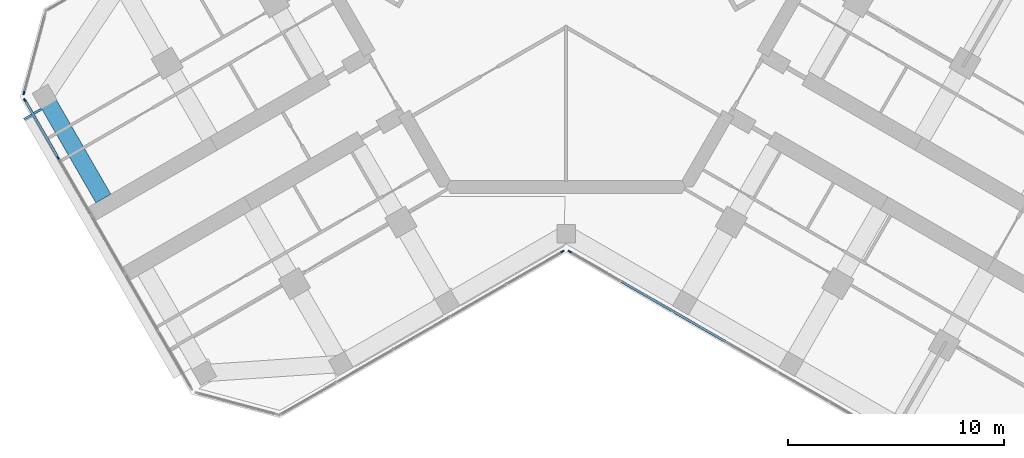
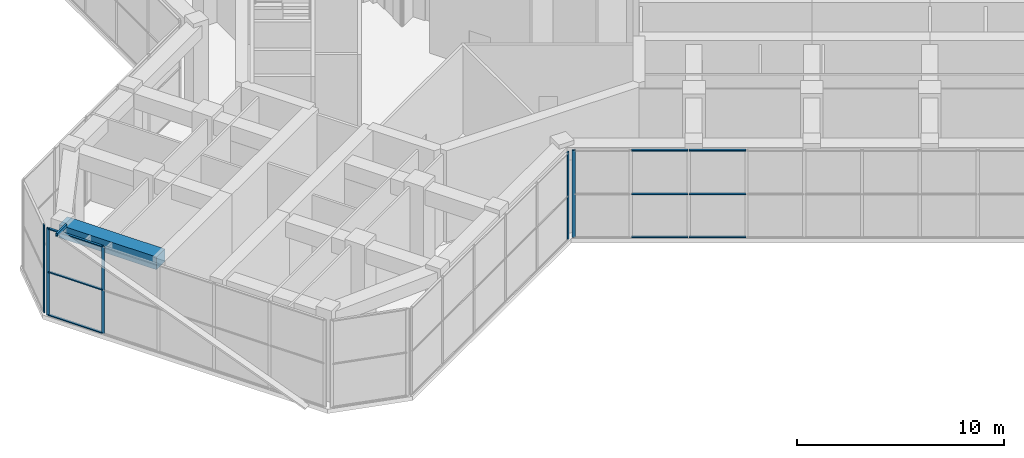
# One storey, part 3 of 16: 15 members, 1 beam, 4 elements without a shape of their own.
"""IFC4 building model written with IfcOpenShell, lengths in metres."""

import ifcopenshell
import ifcopenshell.guid

model = None  # the IFC model being written
_history = None  # IfcOwnerHistory: only IFC2X3 demands one
_inside = {}  # id of a spatial element -> (the spatial element, [elements in it])
_under = {}  # id of a project, library or spatial element -> (it, [spatial elements below it])
_declared = {}  # id of a project -> (the project, [libraries it declares])
_typed = {}  # id of a type object -> (the type object, [elements of that type])
_made_of = {}  # id of a material, layer set ... -> (it, [elements and type objects made of it])


def new_model(schema):
    """Start an empty IFC model of exactly this schema.

    Asked for "IFC4X3", IfcOpenShell would pick the latest addendum, in which some entities
    have other attributes; the version numbers below select the first issue.
    IFC2X3 requires an IfcOwnerHistory on every rooted entity: one is made here for all.
    """
    global model, _history
    if schema == "IFC4X3":
        model = ifcopenshell.file(schema_version=(4, 3, 0, 0))
    else:
        model = ifcopenshell.file(schema=schema)
    _inside.clear()
    _under.clear()
    _declared.clear()
    _typed.clear()
    _made_of.clear()
    _history = None
    if model.schema == "IFC2X3":
        org = make("IfcOrganization", Name="unknown")
        user = make(
            "IfcPersonAndOrganization",
            ThePerson=make("IfcPerson", FamilyName="unknown"),
            TheOrganization=org,
        )
        app = make(
            "IfcApplication",
            ApplicationDeveloper=org,
            Version="unknown",
            ApplicationFullName="unknown",
            ApplicationIdentifier="unknown",
        )
        _history = make(
            "IfcOwnerHistory",
            OwningUser=user,
            OwningApplication=app,
            ChangeAction="ADDED",
            CreationDate=0,
        )
    return model


def make(cls, **values):
    """One entity of the class cls with the attributes given. An attribute that is None is left unset."""
    return model.create_entity(
        cls, **{name: value for name, value in values.items() if value is not None}
    )


def rooted(cls, **values):
    """An entity with a GlobalId (a new one), such as an element, a storey or a relation."""
    return make(cls, GlobalId=ifcopenshell.guid.new(), OwnerHistory=_history, **values)


def si_unit(unit_type, name, prefix=None):
    """IfcSIUnit, for example si_unit("LENGTHUNIT", "METRE", prefix="MILLI")."""
    return make("IfcSIUnit", UnitType=unit_type, Prefix=prefix, Name=name)


def assignment(units):
    """IfcUnitAssignment: the units of a project."""
    return None if units is None else make("IfcUnitAssignment", Units=units)


def point(xyz):
    """IfcCartesianPoint."""
    return None if xyz is None else make("IfcCartesianPoint", Coordinates=xyz)


def direction(xyz):
    """IfcDirection."""
    return None if xyz is None else make("IfcDirection", DirectionRatios=xyz)


def frame(location, z_axis=None, x_axis=None):
    """IfcAxis2Placement3D, a coordinate frame: its origin and axes. An axis left out is left unset."""
    return make(
        "IfcAxis2Placement3D",
        Location=point(location),
        Axis=direction(z_axis),
        RefDirection=direction(x_axis),
    )


def frame_2d(location, x_axis=None):
    """IfcAxis2Placement2D, a coordinate frame in the plane: its origin and x axis."""
    return make(
        "IfcAxis2Placement2D", Location=point(location), RefDirection=direction(x_axis)
    )


def origin():
    """The frame at (0, 0, 0) with its axes left unset."""
    return frame((0.0, 0.0, 0.0))


def origin_2d():
    """The frame at (0, 0) in the plane with its x axis left unset."""
    return frame_2d((0.0, 0.0))


def place(relative_to, where):
    """IfcLocalPlacement: puts the frame where relative to a parent placement (None: the world)."""
    return make(
        "IfcLocalPlacement", PlacementRelTo=relative_to, RelativePlacement=where
    )


def context(
    kind, dimensions, precision=None, world=None, true_north=None, identifier=None
):
    """IfcGeometricRepresentationContext, for example the 3D "Model" context."""
    return make(
        "IfcGeometricRepresentationContext",
        ContextIdentifier=identifier,
        ContextType=kind,
        CoordinateSpaceDimension=dimensions,
        Precision=precision,
        WorldCoordinateSystem=world,
        TrueNorth=true_north,
    )


def subcontext(parent, identifier, kind, view, scale=None):
    """IfcGeometricRepresentationSubContext, for example "Body" below "Model"."""
    return make(
        "IfcGeometricRepresentationSubContext",
        ContextIdentifier=identifier,
        ContextType=kind,
        ParentContext=parent,
        TargetScale=scale,
        TargetView=view,
    )


def project(units=None, contexts=None):
    """IfcProject with its units and contexts."""
    return rooted(
        "IfcProject",
        Name="project",
        RepresentationContexts=contexts,
        UnitsInContext=assignment(units),
    )


def spatial(cls, under=None, at=None, **own):
    """A site, building, storey or space (cls), placed at a placement, below another one or the project."""
    s = rooted(cls, ObjectPlacement=at, **own)
    if under is not None:
        _under.setdefault(under.id(), (under, []))[1].append(s)
    return s


def profile(cls, at=None, kind="AREA", **sizes):
    """A parametric profile (cls). Its sizes go by their IFC names, for example OverallWidth=200.0."""
    return make(cls, ProfileType=kind, Position=at, **sizes)


def rectangle(**sizes):
    """IfcRectangleProfileDef."""
    return profile("IfcRectangleProfileDef", **sizes)


def hollow_rectangle(**sizes):
    """IfcRectangleHollowProfileDef."""
    return profile("IfcRectangleHollowProfileDef", **sizes)


def extrude(swept, where, along, depth):
    """IfcExtrudedAreaSolid: the profile swept, set in the frame where, extruded along a direction by depth."""
    return make(
        "IfcExtrudedAreaSolid",
        SweptArea=swept,
        Position=where,
        ExtrudedDirection=direction(along),
        Depth=depth,
    )


def shape(context_of_items, identifier, shape_type, items):
    """IfcShapeRepresentation: the items that make up one representation, for example the "Body"."""
    return make(
        "IfcShapeRepresentation",
        ContextOfItems=context_of_items,
        RepresentationIdentifier=identifier,
        RepresentationType=shape_type,
        Items=items,
    )


def material(Name=None, Category=None):
    """IfcMaterial."""
    return make("IfcMaterial", Name=Name, Category=Category)


def material_profile(
    of_material, cross_section, Name=None, Category=None, Priority=None
):
    """IfcMaterialProfile: a cross section and its material."""
    return make(
        "IfcMaterialProfile",
        Name=Name,
        Material=of_material,
        Profile=cross_section,
        Priority=Priority,
        Category=Category,
    )


def profile_set(profiles, Name=None, composite=None):
    """IfcMaterialProfileSet."""
    return make(
        "IfcMaterialProfileSet",
        Name=Name,
        MaterialProfiles=profiles,
        CompositeProfile=composite,
    )


def made_of(thing, what):
    """Note that an element or type object is made of a material, layer set ...; save() writes the relation."""
    if what is not None:
        _made_of.setdefault(what.id(), (what, []))[1].append(thing)
    return thing


def type_object(cls, material=None, **own):
    """A type object (cls), such as IfcWallType, which elements share."""
    return made_of(rooted(cls, **own), material)


def element(
    cls,
    number,
    at=None,
    inside=None,
    cuts=None,
    type_object=None,
    material=None,
    context=None,
    identifier="Body",
    shape_type=None,
    held_by="IfcProductDefinitionShape",
    body=None,
    shapes=None,
    **own,
):
    """One element of the class cls, such as IfcWall. Its Tag is "e" and its number.

    at: its placement. inside: the storey or other place that contains it. cuts: it is an
    opening in that element (IfcRelVoidsElement). A single representation is given by context,
    identifier, shape_type and body (its items); several are given by shapes. held_by: the class
    of the entity that holds the representations. save() writes the other relations.
    """
    e = rooted(cls, Tag="e%d" % number, ObjectPlacement=at, **own)
    if body is not None:
        shapes = [shape(context, identifier, shape_type, body)]
    if shapes is not None:
        e.Representation = make(held_by, Representations=shapes)
    if inside is not None:
        _inside.setdefault(inside.id(), (inside, []))[1].append(e)
    if cuts is not None:
        rooted(
            "IfcRelVoidsElement", RelatingBuildingElement=cuts, RelatedOpeningElement=e
        )
    if type_object is not None:
        _typed.setdefault(type_object.id(), (type_object, []))[1].append(e)
    return made_of(e, material)


def aggregate(whole, parts):
    """IfcRelAggregates: a whole, such as a stair, and the parts it consists of."""
    return rooted("IfcRelAggregates", RelatingObject=whole, RelatedObjects=parts)


def save(model, path):
    """Write the relations noted so far, then the file.

    IfcRelAggregates (storeys below a building ...), IfcRelContainedInSpatialStructure (elements
    in a storey), IfcRelDefinesByType, IfcRelAssociatesMaterial and IfcRelDeclares: one each for
    every whole, place, type object, material and project.
    """
    for whole, parts in _under.values():
        aggregate(whole, parts)
    for where, things in _inside.values():
        rooted(
            "IfcRelContainedInSpatialStructure",
            RelatedElements=things,
            RelatingStructure=where,
        )
    for kind, things in _typed.values():
        rooted("IfcRelDefinesByType", RelatedObjects=things, RelatingType=kind)
    for what, things in _made_of.values():
        rooted("IfcRelAssociatesMaterial", RelatedObjects=things, RelatingMaterial=what)
    for by, libraries in _declared.values():
        rooted("IfcRelDeclares", RelatingContext=by, RelatedDefinitions=libraries)
    model.write(path)


model = new_model("IFC4")

# Units and contexts
model_context = context("Model", 3, precision=1e-05, world=origin(), true_north=direction((0.0, 1.0)))
body_context = subcontext(model_context, "Body", "Model", "MODEL_VIEW")
ifc_project = project(units=[si_unit("LENGTHUNIT", "METRE"), si_unit("AREAUNIT", "SQUARE_METRE"), si_unit("VOLUMEUNIT", "CUBIC_METRE"), si_unit("PLANEANGLEUNIT", "RADIAN"), si_unit("MASSUNIT", "GRAM", prefix="KILO")], contexts=[model_context])

# Site, building, storey
site_placement = place(None, origin())
site = spatial("IfcSite", under=ifc_project, at=site_placement, CompositionType="ELEMENT")
building_placement = place(site_placement, origin())
building = spatial("IfcBuilding", under=site, at=building_placement, Name="Kosmar Iwan School Tower", CompositionType="ELEMENT")
storey_placement = place(building_placement, frame((0.0, 0.0, 226.199951171875)))
storey = spatial("IfcBuildingStorey", under=building, at=storey_placement, Name="L57", CompositionType="ELEMENT", Elevation=226.199951171875)

# Member
ifc_material_1 = material(Name="Steel S355", Category="steel")
ifc_material_profile_1 = material_profile(ifc_material_1, hollow_rectangle(XDim=0.10009765625, YDim=0.199951171875, WallThickness=0.008056640625, at=origin_2d()), Name="RHS 200x100x8")
ifc_profile_set_1 = profile_set([ifc_material_profile_1], Name="Steel S355")
member_type_1 = type_object("IfcMemberType", Name="Fin bracket RHS 200x100", PredefinedType="USERDEFINED", material=ifc_profile_set_1)
member_1_placement = place(storey_placement, frame((-24.337158203125, -5.9970703125, 5.275146484375), z_axis=(-0.866058118026, -0.49994333299, 0.0), x_axis=(0.49994333299, -0.866058118026, 0.0)))
element("IfcMember", 1, at=member_1_placement, inside=storey, type_object=member_type_1, Name="Fin bracket L58", ObjectType="FIN BRACKET", PredefinedType="USERDEFINED", context=body_context, shape_type="SweptSolid", body=[
    extrude(hollow_rectangle(XDim=0.10009765625, YDim=0.199951171875, WallThickness=0.008056640625, at=origin_2d()), origin(), (0.0, 0.0, 1.0), 0.9248046875),
])

# Curtain wall, member
ifc_material_2 = material(Name="Dark glass in black aluminium frame", Category="aluminium")
curtain_wall_type_1 = type_object("IfcCurtainWallType", Name="Chamfer curtain wall dark glass", PredefinedType="USERDEFINED", material=ifc_material_2)
curtain_wall_1_placement = place(storey_placement, origin())
curtain_wall_1 = element("IfcCurtainWall", 2, at=curtain_wall_1_placement, inside=storey, type_object=curtain_wall_type_1, Name="Curtain wall L57-F10", ObjectType="FACETED CURTAIN WALL", PredefinedType="USERDEFINED")
ifc_material_3 = material(Name="Black anodised aluminium", Category="aluminium")
ifc_material_profile_2 = material_profile(ifc_material_3, rectangle(XDim=0.06005859375, YDim=0.159912109375, at=origin_2d()), Name="MULLION 60x160")
ifc_profile_set_2 = profile_set([ifc_material_profile_2], Name="Black anodised aluminium")
member_type_2 = type_object("IfcMemberType", Name="Mullion 60x160", PredefinedType="MULLION", material=ifc_profile_set_2)
member_2_placement = place(storey_placement, frame((-25.141845703125, -5.24853515625, 0.0), z_axis=(0.0, 0.0, 1.0), x_axis=(0.965925875495, -0.258818861462, 0.0)))
member_2 = element("IfcMember", 3, at=member_2_placement, type_object=member_type_2, Name="CW2 mullion 2", PredefinedType="MULLION", context=body_context, shape_type="SweptSolid", body=[
    extrude(rectangle(XDim=0.06005859375, YDim=0.159912109375, at=origin_2d()), origin(), (0.0, 0.0, 1.0), 5.150146484375),
])
aggregate(curtain_wall_1, [member_2])

# Curtain wall, members
ifc_material_4 = material(Name="Dark glass in black aluminium frame", Category="aluminium")
curtain_wall_type_2 = type_object("IfcCurtainWallType", Name="Tower curtain wall dark glass", PredefinedType="USERDEFINED", material=ifc_material_4)
curtain_wall_2_placement = place(storey_placement, origin())
curtain_wall_2 = element("IfcCurtainWall", 4, at=curtain_wall_2_placement, inside=storey, type_object=curtain_wall_type_2, Name="Curtain wall L57-F11", ObjectType="UNITISED CURTAIN WALL", PredefinedType="USERDEFINED")
member_3_placement = place(storey_placement, frame((-25.098388671875, -5.578369140625, 0.0), z_axis=(0.0, 0.0, 1.0), x_axis=(0.866025405329, 0.499999997325, 0.0)))
member_3 = element("IfcMember", 5, at=member_3_placement, type_object=member_type_2, Name="CW1 mullion 1", PredefinedType="MULLION", context=body_context, shape_type="SweptSolid", body=[
    extrude(rectangle(XDim=0.06005859375, YDim=0.159912109375, at=origin_2d()), origin(), (0.0, 0.0, 1.0), 5.150146484375),
])
member_4_placement = place(storey_placement, frame((-23.563720703125, -8.236328125, 0.0), z_axis=(0.0, 0.0, 1.0), x_axis=(0.866025405329, 0.499999997325, 0.0)))
member_4 = element("IfcMember", 6, at=member_4_placement, type_object=member_type_2, Name="CW1 mullion 2", PredefinedType="MULLION", context=body_context, shape_type="SweptSolid", body=[
    extrude(rectangle(XDim=0.06005859375, YDim=0.159912109375, at=origin_2d()), origin(), (0.0, 0.0, 1.0), 5.150146484375),
])

# Curtain wall, member
ifc_material_5 = material(Name="Dark glass in black aluminium frame", Category="aluminium")
curtain_wall_type_3 = type_object("IfcCurtainWallType", Name="Winter garden curtain wall", PredefinedType="USERDEFINED", material=ifc_material_5)
curtain_wall_3_placement = place(storey_placement, origin())
curtain_wall_3 = element("IfcCurtainWall", 7, at=curtain_wall_3_placement, inside=storey, type_object=curtain_wall_type_3, Name="Curtain wall L57-F13", ObjectType="WINTER GARDEN CURTAIN WALL", PredefinedType="USERDEFINED")
member_5_placement = place(storey_placement, frame((-0.163818359375, -12.59423828125, 0.0), z_axis=(0.0, 0.0, 1.0), x_axis=(0.499999981877, -0.866025414248, 0.0)))
member_5 = element("IfcMember", 8, at=member_5_placement, type_object=member_type_2, Name="CW7 mullion 1", PredefinedType="MULLION", context=body_context, shape_type="SweptSolid", body=[
    extrude(rectangle(XDim=0.06005859375, YDim=0.159912109375, at=origin_2d()), origin(), (0.0, 0.0, 1.0), 5.150146484375),
])
aggregate(curtain_wall_3, [member_5])

curtain_wall_4_placement = place(storey_placement, origin())
curtain_wall_4 = element("IfcCurtainWall", 9, at=curtain_wall_4_placement, inside=storey, type_object=curtain_wall_type_3, Name="Curtain wall L57-F14", ObjectType="WINTER GARDEN CURTAIN WALL", PredefinedType="USERDEFINED")
member_6_placement = place(storey_placement, frame((0.163818359375, -12.59423828125, 0.0), z_axis=(0.0, 0.0, 1.0), x_axis=(0.500000014888, 0.866025395189, 0.0)))
member_6 = element("IfcMember", 10, at=member_6_placement, type_object=member_type_2, Name="CW7 mullion 1", PredefinedType="MULLION", context=body_context, shape_type="SweptSolid", body=[
    extrude(rectangle(XDim=0.06005859375, YDim=0.159912109375, at=origin_2d()), origin(), (0.0, 0.0, 1.0), 5.150146484375),
])

# Beam
ifc_material_6 = material(Name="Concrete C50/60", Category="concrete")
ifc_material_profile_3 = material_profile(ifc_material_6, rectangle(XDim=0.800048828125, YDim=0.75, at=origin_2d()), Name="RC 800x750")
ifc_profile_set_3 = profile_set([ifc_material_profile_3], Name="Concrete C50/60")
beam_type = type_object("IfcBeamType", Name="RC tip beam 800x750", PredefinedType="BEAM", material=ifc_profile_set_3)
beam_placement = place(storey_placement, frame((-24.181396484375, -5.41650390625, 4.775146484375), z_axis=(0.499988730927, -0.866031909889, 0.0), x_axis=(0.866031909889, 0.499988730927, 0.0)))
element("IfcBeam", 11, at=beam_placement, inside=storey, type_object=beam_type, Name="Tip beam BR to corridor wall", PredefinedType="BEAM", context=body_context, shape_type="SweptSolid", body=[
    extrude(rectangle(XDim=0.800048828125, YDim=0.75, at=origin_2d()), origin(), (0.0, 0.0, 1.0), 5.449951171875),
])

# Member
ifc_material_7 = material(Name="Black anodised aluminium", Category="aluminium")
ifc_material_profile_4 = material_profile(ifc_material_7, rectangle(XDim=0.1201171875, YDim=0.06005859375, at=origin_2d()), Name="TRANSOM 60x120")
ifc_profile_set_4 = profile_set([ifc_material_profile_4], Name="Black anodised aluminium")
member_type_3 = type_object("IfcMemberType", Name="Transom 60x120", PredefinedType="USERDEFINED", material=ifc_profile_set_4)
member_7_placement = place(storey_placement, frame((-25.08349609375, -5.604248046875, 0.030029296875), z_axis=(0.499986971506, -0.866032925658, 0.0), x_axis=(0.866032925658, 0.499986971506, 0.0)))
member_7 = element("IfcMember", 12, at=member_7_placement, type_object=member_type_3, Name="CW1 transom 1.1", ObjectType="TRANSOM", PredefinedType="USERDEFINED", context=body_context, shape_type="SweptSolid", body=[
    extrude(rectangle(XDim=0.1201171875, YDim=0.06005859375, at=origin_2d()), origin(), (0.0, 0.0, 1.0), 3.00927734375),
])

member_8_placement = place(storey_placement, frame((-25.08349609375, -5.604248046875, 2.574951171875), z_axis=(0.499986971506, -0.866032925658, 0.0), x_axis=(0.866032925658, 0.499986971506, 0.0)))
member_8 = element("IfcMember", 13, at=member_8_placement, type_object=member_type_3, Name="CW1 transom 1.2", ObjectType="TRANSOM", PredefinedType="USERDEFINED", context=body_context, shape_type="SweptSolid", body=[
    extrude(rectangle(XDim=0.1201171875, YDim=0.06005859375, at=origin_2d()), origin(), (0.0, 0.0, 1.0), 3.00927734375),
])

member_9_placement = place(storey_placement, frame((-25.08349609375, -5.604248046875, 5.1201171875), z_axis=(0.499986971506, -0.866032925658, 0.0), x_axis=(0.866032925658, 0.499986971506, 0.0)))
member_9 = element("IfcMember", 14, at=member_9_placement, type_object=member_type_3, Name="CW1 transom 1.3", ObjectType="TRANSOM", PredefinedType="USERDEFINED", context=body_context, shape_type="SweptSolid", body=[
    extrude(rectangle(XDim=0.1201171875, YDim=0.06005859375, at=origin_2d()), origin(), (0.0, 0.0, 1.0), 3.00927734375),
])

aggregate(curtain_wall_2, [member_3, member_4, member_7, member_8, member_9])

member_10_placement = place(storey_placement, frame((2.582763671875, -13.99072265625, 0.030029296875), z_axis=(0.8660249478, -0.500000789788, 0.0), x_axis=(0.500000789788, 0.8660249478, 0.0)))
member_10 = element("IfcMember", 15, at=member_10_placement, type_object=member_type_3, Name="CW7 transom 2.1", ObjectType="TRANSOM", PredefinedType="USERDEFINED", context=body_context, shape_type="SweptSolid", body=[
    extrude(rectangle(XDim=0.1201171875, YDim=0.06005859375, at=origin_2d()), origin(), (0.0, 0.0, 1.0), 2.7333984375),
])

member_11_placement = place(storey_placement, frame((2.582763671875, -13.99072265625, 2.574951171875), z_axis=(0.8660249478, -0.500000789788, 0.0), x_axis=(0.500000789788, 0.8660249478, 0.0)))
member_11 = element("IfcMember", 16, at=member_11_placement, type_object=member_type_3, Name="CW7 transom 2.2", ObjectType="TRANSOM", PredefinedType="USERDEFINED", context=body_context, shape_type="SweptSolid", body=[
    extrude(rectangle(XDim=0.1201171875, YDim=0.06005859375, at=origin_2d()), origin(), (0.0, 0.0, 1.0), 2.7333984375),
])

member_12_placement = place(storey_placement, frame((2.582763671875, -13.99072265625, 5.1201171875), z_axis=(0.8660249478, -0.500000789788, 0.0), x_axis=(0.500000789788, 0.8660249478, 0.0)))
member_12 = element("IfcMember", 17, at=member_12_placement, type_object=member_type_3, Name="CW7 transom 2.3", ObjectType="TRANSOM", PredefinedType="USERDEFINED", context=body_context, shape_type="SweptSolid", body=[
    extrude(rectangle(XDim=0.1201171875, YDim=0.06005859375, at=origin_2d()), origin(), (0.0, 0.0, 1.0), 2.7333984375),
])

member_13_placement = place(storey_placement, frame((5.001953125, -15.387451171875, 0.030029296875), z_axis=(0.866002615699, -0.500039468044, 0.0), x_axis=(0.500039468044, 0.866002615699, 0.0)))
member_13 = element("IfcMember", 18, at=member_13_placement, type_object=member_type_3, Name="CW7 transom 3.1", ObjectType="TRANSOM", PredefinedType="USERDEFINED", context=body_context, shape_type="SweptSolid", body=[
    extrude(rectangle(XDim=0.1201171875, YDim=0.06005859375, at=origin_2d()), origin(), (0.0, 0.0, 1.0), 2.733154296875),
])

member_14_placement = place(storey_placement, frame((5.001953125, -15.387451171875, 2.574951171875), z_axis=(0.866002615699, -0.500039468044, 0.0), x_axis=(0.500039468044, 0.866002615699, 0.0)))
member_14 = element("IfcMember", 19, at=member_14_placement, type_object=member_type_3, Name="CW7 transom 3.2", ObjectType="TRANSOM", PredefinedType="USERDEFINED", context=body_context, shape_type="SweptSolid", body=[
    extrude(rectangle(XDim=0.1201171875, YDim=0.06005859375, at=origin_2d()), origin(), (0.0, 0.0, 1.0), 2.733154296875),
])

member_15_placement = place(storey_placement, frame((5.001953125, -15.387451171875, 5.1201171875), z_axis=(0.866002615699, -0.500039468044, 0.0), x_axis=(0.500039468044, 0.866002615699, 0.0)))
member_15 = element("IfcMember", 20, at=member_15_placement, type_object=member_type_3, Name="CW7 transom 3.3", ObjectType="TRANSOM", PredefinedType="USERDEFINED", context=body_context, shape_type="SweptSolid", body=[
    extrude(rectangle(XDim=0.1201171875, YDim=0.06005859375, at=origin_2d()), origin(), (0.0, 0.0, 1.0), 2.733154296875),
])

aggregate(curtain_wall_4, [member_6, member_10, member_11, member_12, member_13, member_14, member_15])

save(model, "model.ifc")
